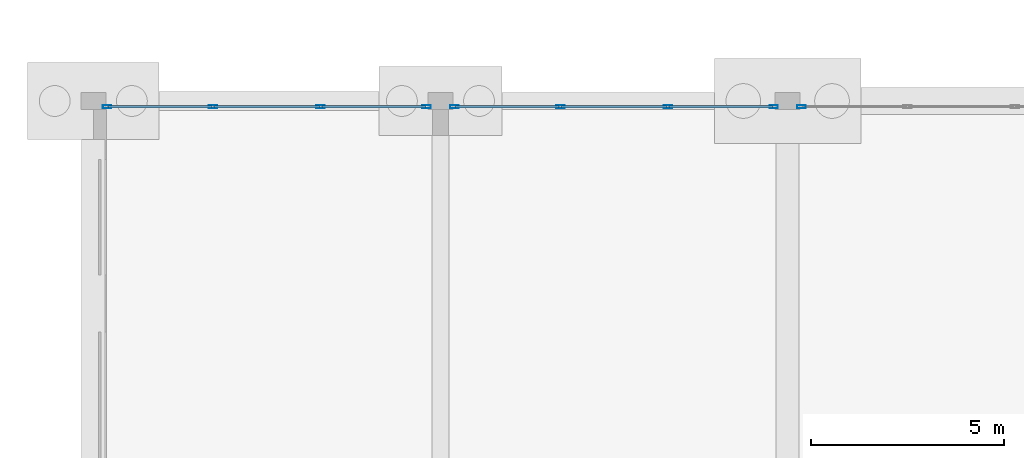
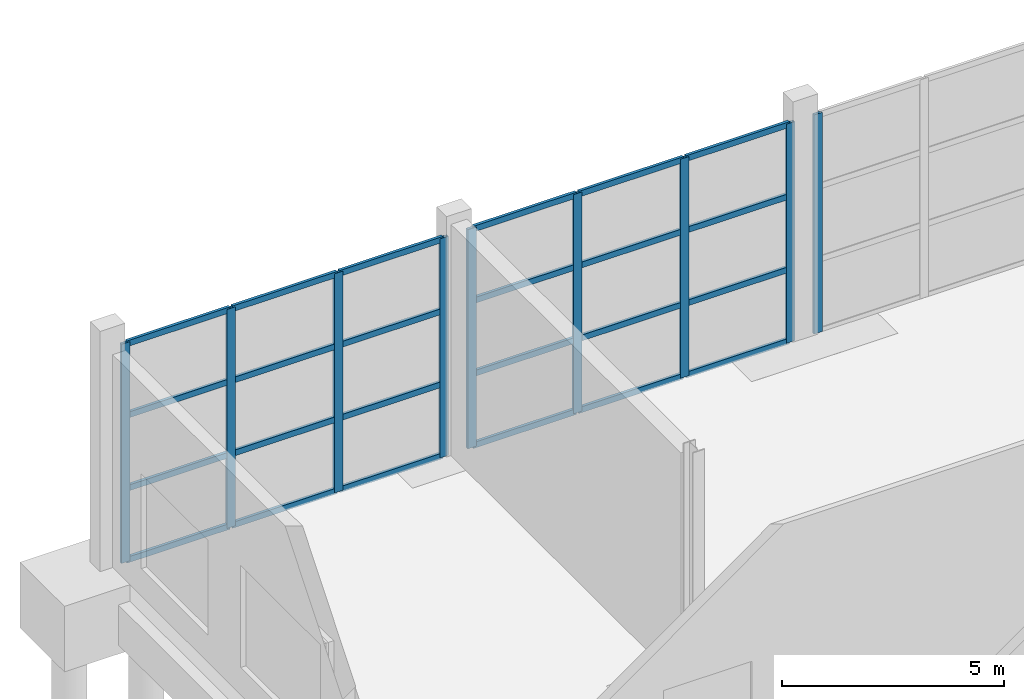
# One storey, part 53 of 115: 33 members, 3 elements without a shape of their own.
"""IFC4 building model written with IfcOpenShell, lengths in metres."""

from ifc_helpers import new_model, si_unit, direction, frame, origin, origin_2d, place, context, subcontext, project, spatial, hollow_rectangle, extrude, material, layer, layer_set, material_profile, profile_set, type_object, element, aggregate, save


model = new_model("IFC4")

# Units and contexts
model_context = context("Model", 3, precision=1e-05, world=origin(), true_north=direction((0.0, 1.0)))
body_context = subcontext(model_context, "Body", "Model", "MODEL_VIEW")
ifc_project = project(units=[si_unit("LENGTHUNIT", "METRE"), si_unit("AREAUNIT", "SQUARE_METRE"), si_unit("VOLUMEUNIT", "CUBIC_METRE"), si_unit("PLANEANGLEUNIT", "RADIAN"), si_unit("MASSUNIT", "GRAM", prefix="KILO")], contexts=[model_context])

# Site, building, storey
site_placement = place(None, origin())
site = spatial("IfcSite", under=ifc_project, at=site_placement, CompositionType="ELEMENT")
building_placement = place(site_placement, origin())
building = spatial("IfcBuilding", under=site, at=building_placement, Name="Tamarisk Ironworks Central Station", CompositionType="ELEMENT")
storey_placement = place(building_placement, origin())
storey = spatial("IfcBuildingStorey", under=building, at=storey_placement, Name="L00", CompositionType="ELEMENT", Elevation=0.0)

# Curtain wall, members
ifc_material = material(Name="Anodized aluminium alloy 6063-T6", Category="aluminium")
ifc_layer = layer(ifc_material, 0.179931640625)
ifc_layer_set = layer_set([ifc_layer], Name="Anodized aluminium alloy 6063-T6")
curtain_wall_type = type_object("IfcCurtainWallType", Name="CW-12", PredefinedType="USERDEFINED", material=ifc_layer_set)
curtain_wall_1_placement = place(storey_placement, origin())
curtain_wall_1 = element("IfcCurtainWall", 1, at=curtain_wall_1_placement, inside=storey, type_object=curtain_wall_type, Name="Pavilion L00 N glazed arcade 00", ObjectType="GLAZED CURTAIN WALL", PredefinedType="USERDEFINED")
ifc_material_profile_1 = material_profile(ifc_material, hollow_rectangle(XDim=0.074951171875, YDim=0.219970703125, WallThickness=0.00390625, at=origin_2d()), Name="ALUM 220x75")
ifc_profile_set_1 = profile_set([ifc_material_profile_1], Name="Anodized aluminium alloy 6063-T6")
member_type_1 = type_object("IfcMemberType", Name="CWM-01", PredefinedType="MULLION", material=ifc_profile_set_1)
member_1_placement = place(storey_placement, frame((0.360595703125, 122.25, 0.0), z_axis=(0.0, 0.0, 1.0), x_axis=(0.0, 1.0, 0.0)))
member_1 = element("IfcMember", 2, at=member_1_placement, type_object=member_type_1, Name="CW12 mullion 1", PredefinedType="MULLION", context=body_context, shape_type="SweptSolid", body=[
    extrude(hollow_rectangle(XDim=0.074951171875, YDim=0.219970703125, WallThickness=0.00390625, at=origin_2d()), origin(), (0.0, 0.0, 1.0), 6.02001953125),
])
member_2_placement = place(storey_placement, frame((3.107666015625, 122.25, 0.0), z_axis=(0.0, 0.0, 1.0), x_axis=(0.0, 1.0, 0.0)))
member_2 = element("IfcMember", 3, at=member_2_placement, type_object=member_type_1, Name="CW12 mullion 2", PredefinedType="MULLION", context=body_context, shape_type="SweptSolid", body=[
    extrude(hollow_rectangle(XDim=0.074951171875, YDim=0.219970703125, WallThickness=0.00390625, at=origin_2d()), origin(), (0.0, 0.0, 1.0), 6.02001953125),
])
member_3_placement = place(storey_placement, frame((5.892333984375, 122.25, 0.0), z_axis=(0.0, 0.0, 1.0), x_axis=(0.0, 1.0, 0.0)))
member_3 = element("IfcMember", 4, at=member_3_placement, type_object=member_type_1, Name="CW12 mullion 3", PredefinedType="MULLION", context=body_context, shape_type="SweptSolid", body=[
    extrude(hollow_rectangle(XDim=0.074951171875, YDim=0.219970703125, WallThickness=0.00390625, at=origin_2d()), origin(), (0.0, 0.0, 1.0), 6.02001953125),
])
member_4_placement = place(storey_placement, frame((8.639404296875, 122.25, 0.0), z_axis=(0.0, 0.0, 1.0), x_axis=(0.0, 1.0, 0.0)))
member_4 = element("IfcMember", 5, at=member_4_placement, type_object=member_type_1, Name="CW12 mullion 4", PredefinedType="MULLION", context=body_context, shape_type="SweptSolid", body=[
    extrude(hollow_rectangle(XDim=0.074951171875, YDim=0.219970703125, WallThickness=0.00390625, at=origin_2d()), origin(), (0.0, 0.0, 1.0), 6.02001953125),
])

curtain_wall_2_placement = place(storey_placement, origin())
curtain_wall_2 = element("IfcCurtainWall", 6, at=curtain_wall_2_placement, inside=storey, type_object=curtain_wall_type, Name="Pavilion L00 N glazed arcade 09", ObjectType="GLAZED CURTAIN WALL", PredefinedType="USERDEFINED")
member_5_placement = place(storey_placement, frame((9.360595703125, 122.25, 0.0), z_axis=(0.0, 0.0, 1.0), x_axis=(0.0, 1.0, 0.0)))
member_5 = element("IfcMember", 7, at=member_5_placement, type_object=member_type_1, Name="CW12 mullion 1", PredefinedType="MULLION", context=body_context, shape_type="SweptSolid", body=[
    extrude(hollow_rectangle(XDim=0.074951171875, YDim=0.219970703125, WallThickness=0.00390625, at=origin_2d()), origin(), (0.0, 0.0, 1.0), 6.02001953125),
])
member_6_placement = place(storey_placement, frame((12.107666015625, 122.25, 0.0), z_axis=(0.0, 0.0, 1.0), x_axis=(0.0, 1.0, 0.0)))
member_6 = element("IfcMember", 8, at=member_6_placement, type_object=member_type_1, Name="CW12 mullion 2", PredefinedType="MULLION", context=body_context, shape_type="SweptSolid", body=[
    extrude(hollow_rectangle(XDim=0.074951171875, YDim=0.219970703125, WallThickness=0.00390625, at=origin_2d()), origin(), (0.0, 0.0, 1.0), 6.02001953125),
])
member_7_placement = place(storey_placement, frame((14.892333984375, 122.25, 0.0), z_axis=(0.0, 0.0, 1.0), x_axis=(0.0, 1.0, 0.0)))
member_7 = element("IfcMember", 9, at=member_7_placement, type_object=member_type_1, Name="CW12 mullion 3", PredefinedType="MULLION", context=body_context, shape_type="SweptSolid", body=[
    extrude(hollow_rectangle(XDim=0.074951171875, YDim=0.219970703125, WallThickness=0.00390625, at=origin_2d()), origin(), (0.0, 0.0, 1.0), 6.02001953125),
])
member_8_placement = place(storey_placement, frame((17.639404296875, 122.25, 0.0), z_axis=(0.0, 0.0, 1.0), x_axis=(0.0, 1.0, 0.0)))
member_8 = element("IfcMember", 10, at=member_8_placement, type_object=member_type_1, Name="CW12 mullion 4", PredefinedType="MULLION", context=body_context, shape_type="SweptSolid", body=[
    extrude(hollow_rectangle(XDim=0.074951171875, YDim=0.219970703125, WallThickness=0.00390625, at=origin_2d()), origin(), (0.0, 0.0, 1.0), 6.02001953125),
])

# Curtain wall, member
curtain_wall_3_placement = place(storey_placement, origin())
curtain_wall_3 = element("IfcCurtainWall", 11, at=curtain_wall_3_placement, inside=storey, type_object=curtain_wall_type, Name="Pavilion L00 N glazed arcade 18", ObjectType="GLAZED CURTAIN WALL", PredefinedType="USERDEFINED")
member_9_placement = place(storey_placement, frame((18.360595703125, 122.25, 0.0), z_axis=(0.0, 0.0, 1.0), x_axis=(0.0, 1.0, 0.0)))
member_9 = element("IfcMember", 12, at=member_9_placement, type_object=member_type_1, Name="CW12 mullion 1", PredefinedType="MULLION", context=body_context, shape_type="SweptSolid", body=[
    extrude(hollow_rectangle(XDim=0.074951171875, YDim=0.219970703125, WallThickness=0.00390625, at=origin_2d()), origin(), (0.0, 0.0, 1.0), 6.02001953125),
])
aggregate(curtain_wall_3, [member_9])

# Member
ifc_material_profile_2 = material_profile(ifc_material, hollow_rectangle(XDim=0.074951171875, YDim=0.159912109375, WallThickness=0.00390625, at=origin_2d()), Name="ALUM 160x75")
ifc_profile_set_2 = profile_set([ifc_material_profile_2], Name="Anodized aluminium alloy 6063-T6")
member_type_2 = type_object("IfcMemberType", Name="CWT-01", PredefinedType="USERDEFINED", material=ifc_profile_set_2)
member_10_placement = place(storey_placement, frame((0.39404296875, 122.25, 0.03759765625), z_axis=(1.0, 0.0, 0.0), x_axis=(0.0, 1.0, 0.0)))
member_10 = element("IfcMember", 13, at=member_10_placement, type_object=member_type_2, Name="CW12 transom 1.1", ObjectType="TRANSOM", PredefinedType="USERDEFINED", context=body_context, shape_type="SweptSolid", body=[
    extrude(hollow_rectangle(XDim=0.074951171875, YDim=0.159912109375, WallThickness=0.00390625, at=origin_2d()), origin(), (0.0, 0.0, 1.0), 2.68017578125),
])

member_11_placement = place(storey_placement, frame((0.39404296875, 122.25, 2.006591796875), z_axis=(1.0, 0.0, 0.0), x_axis=(0.0, 1.0, 0.0)))
member_11 = element("IfcMember", 14, at=member_11_placement, type_object=member_type_2, Name="CW12 transom 1.2", ObjectType="TRANSOM", PredefinedType="USERDEFINED", context=body_context, shape_type="SweptSolid", body=[
    extrude(hollow_rectangle(XDim=0.074951171875, YDim=0.159912109375, WallThickness=0.00390625, at=origin_2d()), origin(), (0.0, 0.0, 1.0), 2.68017578125),
])

member_12_placement = place(storey_placement, frame((0.39404296875, 122.25, 4.01318359375), z_axis=(1.0, 0.0, 0.0), x_axis=(0.0, 1.0, 0.0)))
member_12 = element("IfcMember", 15, at=member_12_placement, type_object=member_type_2, Name="CW12 transom 1.3", ObjectType="TRANSOM", PredefinedType="USERDEFINED", context=body_context, shape_type="SweptSolid", body=[
    extrude(hollow_rectangle(XDim=0.074951171875, YDim=0.159912109375, WallThickness=0.00390625, at=origin_2d()), origin(), (0.0, 0.0, 1.0), 2.68017578125),
])

member_13_placement = place(storey_placement, frame((0.39404296875, 122.25, 5.982421875), z_axis=(1.0, 0.0, 0.0), x_axis=(0.0, 1.0, 0.0)))
member_13 = element("IfcMember", 16, at=member_13_placement, type_object=member_type_2, Name="CW12 transom 1.4", ObjectType="TRANSOM", PredefinedType="USERDEFINED", context=body_context, shape_type="SweptSolid", body=[
    extrude(hollow_rectangle(XDim=0.074951171875, YDim=0.159912109375, WallThickness=0.00390625, at=origin_2d()), origin(), (0.0, 0.0, 1.0), 2.68017578125),
])

member_14_placement = place(storey_placement, frame((3.14111328125, 122.25, 0.03759765625), z_axis=(1.0, 0.0, 0.0), x_axis=(0.0, 1.0, 0.0)))
member_14 = element("IfcMember", 17, at=member_14_placement, type_object=member_type_2, Name="CW12 transom 2.1", ObjectType="TRANSOM", PredefinedType="USERDEFINED", context=body_context, shape_type="SweptSolid", body=[
    extrude(hollow_rectangle(XDim=0.074951171875, YDim=0.159912109375, WallThickness=0.00390625, at=origin_2d()), origin(), (0.0, 0.0, 1.0), 2.7177734375),
])

member_15_placement = place(storey_placement, frame((3.14111328125, 122.25, 2.006591796875), z_axis=(1.0, 0.0, 0.0), x_axis=(0.0, 1.0, 0.0)))
member_15 = element("IfcMember", 18, at=member_15_placement, type_object=member_type_2, Name="CW12 transom 2.2", ObjectType="TRANSOM", PredefinedType="USERDEFINED", context=body_context, shape_type="SweptSolid", body=[
    extrude(hollow_rectangle(XDim=0.074951171875, YDim=0.159912109375, WallThickness=0.00390625, at=origin_2d()), origin(), (0.0, 0.0, 1.0), 2.7177734375),
])

member_16_placement = place(storey_placement, frame((3.14111328125, 122.25, 4.01318359375), z_axis=(1.0, 0.0, 0.0), x_axis=(0.0, 1.0, 0.0)))
member_16 = element("IfcMember", 19, at=member_16_placement, type_object=member_type_2, Name="CW12 transom 2.3", ObjectType="TRANSOM", PredefinedType="USERDEFINED", context=body_context, shape_type="SweptSolid", body=[
    extrude(hollow_rectangle(XDim=0.074951171875, YDim=0.159912109375, WallThickness=0.00390625, at=origin_2d()), origin(), (0.0, 0.0, 1.0), 2.7177734375),
])

member_17_placement = place(storey_placement, frame((3.14111328125, 122.25, 5.982421875), z_axis=(1.0, 0.0, 0.0), x_axis=(0.0, 1.0, 0.0)))
member_17 = element("IfcMember", 20, at=member_17_placement, type_object=member_type_2, Name="CW12 transom 2.4", ObjectType="TRANSOM", PredefinedType="USERDEFINED", context=body_context, shape_type="SweptSolid", body=[
    extrude(hollow_rectangle(XDim=0.074951171875, YDim=0.159912109375, WallThickness=0.00390625, at=origin_2d()), origin(), (0.0, 0.0, 1.0), 2.7177734375),
])

member_18_placement = place(storey_placement, frame((5.92578125, 122.25, 0.03759765625), z_axis=(1.0, 0.0, 0.0), x_axis=(0.0, 1.0, 0.0)))
member_18 = element("IfcMember", 21, at=member_18_placement, type_object=member_type_2, Name="CW12 transom 3.1", ObjectType="TRANSOM", PredefinedType="USERDEFINED", context=body_context, shape_type="SweptSolid", body=[
    extrude(hollow_rectangle(XDim=0.074951171875, YDim=0.159912109375, WallThickness=0.00390625, at=origin_2d()), origin(), (0.0, 0.0, 1.0), 2.68017578125),
])

member_19_placement = place(storey_placement, frame((5.92578125, 122.25, 2.006591796875), z_axis=(1.0, 0.0, 0.0), x_axis=(0.0, 1.0, 0.0)))
member_19 = element("IfcMember", 22, at=member_19_placement, type_object=member_type_2, Name="CW12 transom 3.2", ObjectType="TRANSOM", PredefinedType="USERDEFINED", context=body_context, shape_type="SweptSolid", body=[
    extrude(hollow_rectangle(XDim=0.074951171875, YDim=0.159912109375, WallThickness=0.00390625, at=origin_2d()), origin(), (0.0, 0.0, 1.0), 2.68017578125),
])

member_20_placement = place(storey_placement, frame((5.92578125, 122.25, 4.01318359375), z_axis=(1.0, 0.0, 0.0), x_axis=(0.0, 1.0, 0.0)))
member_20 = element("IfcMember", 23, at=member_20_placement, type_object=member_type_2, Name="CW12 transom 3.3", ObjectType="TRANSOM", PredefinedType="USERDEFINED", context=body_context, shape_type="SweptSolid", body=[
    extrude(hollow_rectangle(XDim=0.074951171875, YDim=0.159912109375, WallThickness=0.00390625, at=origin_2d()), origin(), (0.0, 0.0, 1.0), 2.68017578125),
])

member_21_placement = place(storey_placement, frame((5.92578125, 122.25, 5.982421875), z_axis=(1.0, 0.0, 0.0), x_axis=(0.0, 1.0, 0.0)))
member_21 = element("IfcMember", 24, at=member_21_placement, type_object=member_type_2, Name="CW12 transom 3.4", ObjectType="TRANSOM", PredefinedType="USERDEFINED", context=body_context, shape_type="SweptSolid", body=[
    extrude(hollow_rectangle(XDim=0.074951171875, YDim=0.159912109375, WallThickness=0.00390625, at=origin_2d()), origin(), (0.0, 0.0, 1.0), 2.68017578125),
])

aggregate(curtain_wall_1, [member_1, member_2, member_3, member_4, member_10, member_11, member_12, member_13, member_14, member_15, member_16, member_17, member_18, member_19, member_20, member_21])

member_22_placement = place(storey_placement, frame((9.39404296875, 122.25, 0.03759765625), z_axis=(1.0, 0.0, 0.0), x_axis=(0.0, 1.0, 0.0)))
member_22 = element("IfcMember", 25, at=member_22_placement, type_object=member_type_2, Name="CW12 transom 1.1", ObjectType="TRANSOM", PredefinedType="USERDEFINED", context=body_context, shape_type="SweptSolid", body=[
    extrude(hollow_rectangle(XDim=0.074951171875, YDim=0.159912109375, WallThickness=0.00390625, at=origin_2d()), origin(), (0.0, 0.0, 1.0), 2.68017578125),
])

member_23_placement = place(storey_placement, frame((9.39404296875, 122.25, 2.006591796875), z_axis=(1.0, 0.0, 0.0), x_axis=(0.0, 1.0, 0.0)))
member_23 = element("IfcMember", 26, at=member_23_placement, type_object=member_type_2, Name="CW12 transom 1.2", ObjectType="TRANSOM", PredefinedType="USERDEFINED", context=body_context, shape_type="SweptSolid", body=[
    extrude(hollow_rectangle(XDim=0.074951171875, YDim=0.159912109375, WallThickness=0.00390625, at=origin_2d()), origin(), (0.0, 0.0, 1.0), 2.68017578125),
])

member_24_placement = place(storey_placement, frame((9.39404296875, 122.25, 4.01318359375), z_axis=(1.0, 0.0, 0.0), x_axis=(0.0, 1.0, 0.0)))
member_24 = element("IfcMember", 27, at=member_24_placement, type_object=member_type_2, Name="CW12 transom 1.3", ObjectType="TRANSOM", PredefinedType="USERDEFINED", context=body_context, shape_type="SweptSolid", body=[
    extrude(hollow_rectangle(XDim=0.074951171875, YDim=0.159912109375, WallThickness=0.00390625, at=origin_2d()), origin(), (0.0, 0.0, 1.0), 2.68017578125),
])

member_25_placement = place(storey_placement, frame((9.39404296875, 122.25, 5.982421875), z_axis=(1.0, 0.0, 0.0), x_axis=(0.0, 1.0, 0.0)))
member_25 = element("IfcMember", 28, at=member_25_placement, type_object=member_type_2, Name="CW12 transom 1.4", ObjectType="TRANSOM", PredefinedType="USERDEFINED", context=body_context, shape_type="SweptSolid", body=[
    extrude(hollow_rectangle(XDim=0.074951171875, YDim=0.159912109375, WallThickness=0.00390625, at=origin_2d()), origin(), (0.0, 0.0, 1.0), 2.68017578125),
])

member_26_placement = place(storey_placement, frame((12.14111328125, 122.25, 0.03759765625), z_axis=(1.0, 0.0, 0.0), x_axis=(0.0, 1.0, 0.0)))
member_26 = element("IfcMember", 29, at=member_26_placement, type_object=member_type_2, Name="CW12 transom 2.1", ObjectType="TRANSOM", PredefinedType="USERDEFINED", context=body_context, shape_type="SweptSolid", body=[
    extrude(hollow_rectangle(XDim=0.074951171875, YDim=0.159912109375, WallThickness=0.00390625, at=origin_2d()), origin(), (0.0, 0.0, 1.0), 2.7177734375),
])

member_27_placement = place(storey_placement, frame((12.14111328125, 122.25, 2.006591796875), z_axis=(1.0, 0.0, 0.0), x_axis=(0.0, 1.0, 0.0)))
member_27 = element("IfcMember", 30, at=member_27_placement, type_object=member_type_2, Name="CW12 transom 2.2", ObjectType="TRANSOM", PredefinedType="USERDEFINED", context=body_context, shape_type="SweptSolid", body=[
    extrude(hollow_rectangle(XDim=0.074951171875, YDim=0.159912109375, WallThickness=0.00390625, at=origin_2d()), origin(), (0.0, 0.0, 1.0), 2.7177734375),
])

member_28_placement = place(storey_placement, frame((12.14111328125, 122.25, 4.01318359375), z_axis=(1.0, 0.0, 0.0), x_axis=(0.0, 1.0, 0.0)))
member_28 = element("IfcMember", 31, at=member_28_placement, type_object=member_type_2, Name="CW12 transom 2.3", ObjectType="TRANSOM", PredefinedType="USERDEFINED", context=body_context, shape_type="SweptSolid", body=[
    extrude(hollow_rectangle(XDim=0.074951171875, YDim=0.159912109375, WallThickness=0.00390625, at=origin_2d()), origin(), (0.0, 0.0, 1.0), 2.7177734375),
])

member_29_placement = place(storey_placement, frame((12.14111328125, 122.25, 5.982421875), z_axis=(1.0, 0.0, 0.0), x_axis=(0.0, 1.0, 0.0)))
member_29 = element("IfcMember", 32, at=member_29_placement, type_object=member_type_2, Name="CW12 transom 2.4", ObjectType="TRANSOM", PredefinedType="USERDEFINED", context=body_context, shape_type="SweptSolid", body=[
    extrude(hollow_rectangle(XDim=0.074951171875, YDim=0.159912109375, WallThickness=0.00390625, at=origin_2d()), origin(), (0.0, 0.0, 1.0), 2.7177734375),
])

member_30_placement = place(storey_placement, frame((14.92578125, 122.25, 0.03759765625), z_axis=(1.0, 0.0, 0.0), x_axis=(0.0, 1.0, 0.0)))
member_30 = element("IfcMember", 33, at=member_30_placement, type_object=member_type_2, Name="CW12 transom 3.1", ObjectType="TRANSOM", PredefinedType="USERDEFINED", context=body_context, shape_type="SweptSolid", body=[
    extrude(hollow_rectangle(XDim=0.074951171875, YDim=0.159912109375, WallThickness=0.00390625, at=origin_2d()), origin(), (0.0, 0.0, 1.0), 2.68017578125),
])

member_31_placement = place(storey_placement, frame((14.92578125, 122.25, 2.006591796875), z_axis=(1.0, 0.0, 0.0), x_axis=(0.0, 1.0, 0.0)))
member_31 = element("IfcMember", 34, at=member_31_placement, type_object=member_type_2, Name="CW12 transom 3.2", ObjectType="TRANSOM", PredefinedType="USERDEFINED", context=body_context, shape_type="SweptSolid", body=[
    extrude(hollow_rectangle(XDim=0.074951171875, YDim=0.159912109375, WallThickness=0.00390625, at=origin_2d()), origin(), (0.0, 0.0, 1.0), 2.68017578125),
])

member_32_placement = place(storey_placement, frame((14.92578125, 122.25, 4.01318359375), z_axis=(1.0, 0.0, 0.0), x_axis=(0.0, 1.0, 0.0)))
member_32 = element("IfcMember", 35, at=member_32_placement, type_object=member_type_2, Name="CW12 transom 3.3", ObjectType="TRANSOM", PredefinedType="USERDEFINED", context=body_context, shape_type="SweptSolid", body=[
    extrude(hollow_rectangle(XDim=0.074951171875, YDim=0.159912109375, WallThickness=0.00390625, at=origin_2d()), origin(), (0.0, 0.0, 1.0), 2.68017578125),
])

member_33_placement = place(storey_placement, frame((14.92578125, 122.25, 5.982421875), z_axis=(1.0, 0.0, 0.0), x_axis=(0.0, 1.0, 0.0)))
member_33 = element("IfcMember", 36, at=member_33_placement, type_object=member_type_2, Name="CW12 transom 3.4", ObjectType="TRANSOM", PredefinedType="USERDEFINED", context=body_context, shape_type="SweptSolid", body=[
    extrude(hollow_rectangle(XDim=0.074951171875, YDim=0.159912109375, WallThickness=0.00390625, at=origin_2d()), origin(), (0.0, 0.0, 1.0), 2.68017578125),
])

aggregate(curtain_wall_2, [member_5, member_6, member_7, member_8, member_22, member_23, member_24, member_25, member_26, member_27, member_28, member_29, member_30, member_31, member_32, member_33])

save(model, "model.ifc")
